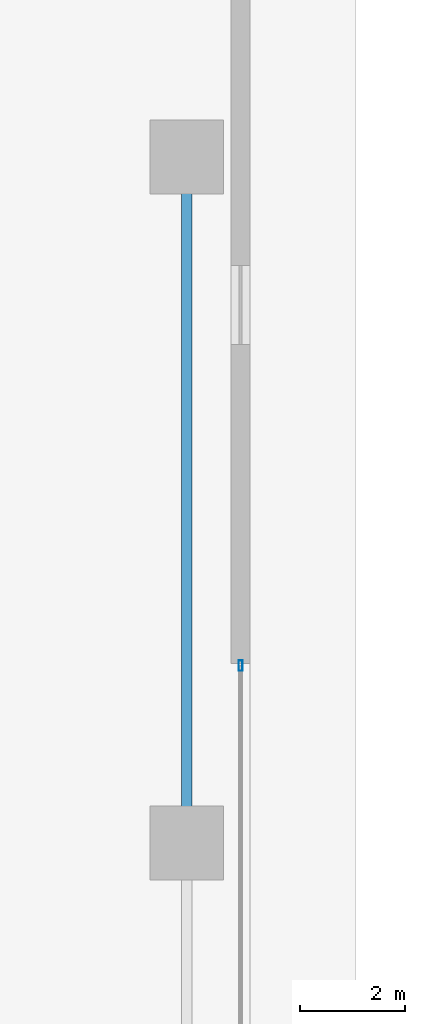
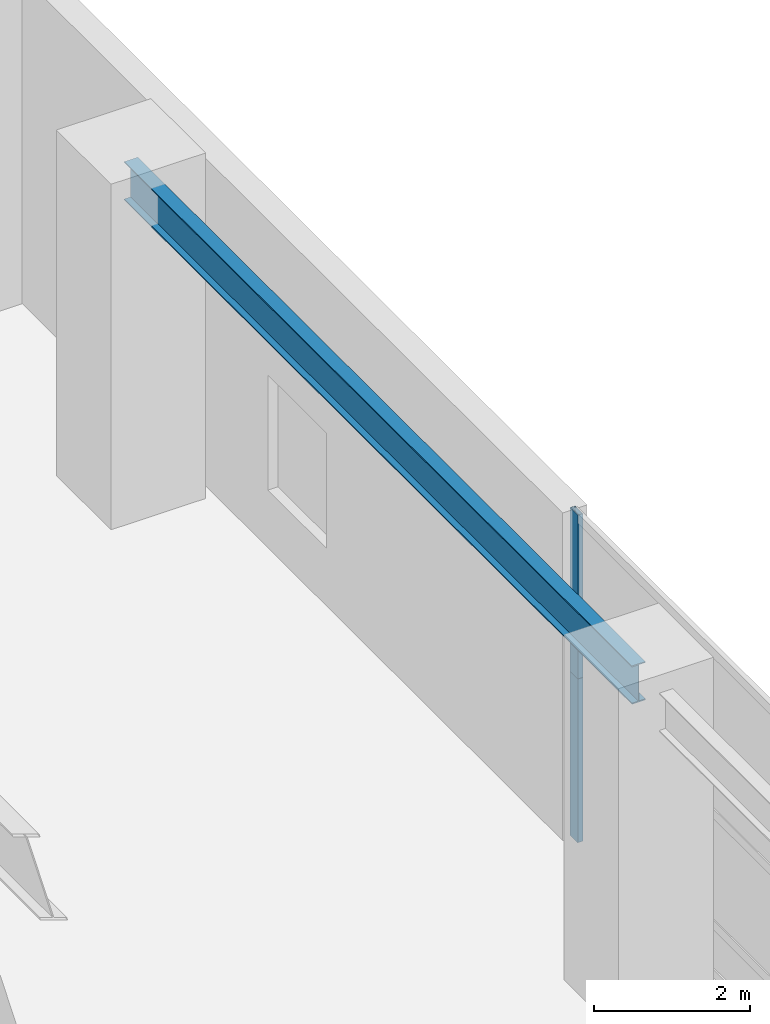
# One storey, part 22 of 32: 2 members, 1 beam, 1 element without a shape of its own.
"""IFC4 building model written with IfcOpenShell, lengths in metres."""

from ifc_helpers import new_model, si_unit, direction, frame, origin, origin_2d, place, context, subcontext, project, spatial, hollow_rectangle, i_section, extrude, source, transform, mapped, material, layer, layer_set, material_profile, profile_set, type_object, element, aggregate, save


model = new_model("IFC4")

# Units and contexts
model_context = context("Model", 3, precision=1e-05, world=origin(), true_north=direction((0.0, 1.0)))
body_context = subcontext(model_context, "Body", "Model", "MODEL_VIEW")
ifc_project = project(units=[si_unit("LENGTHUNIT", "METRE"), si_unit("AREAUNIT", "SQUARE_METRE"), si_unit("VOLUMEUNIT", "CUBIC_METRE"), si_unit("PLANEANGLEUNIT", "RADIAN"), si_unit("MASSUNIT", "GRAM", prefix="KILO"), si_unit("THERMODYNAMICTEMPERATUREUNIT", "KELVIN"), si_unit("POWERUNIT", "WATT")], contexts=[model_context])

# Site, building, storey
site_placement = place(None, origin())
site = spatial("IfcSite", under=ifc_project, at=site_placement, CompositionType="ELEMENT")
building_placement = place(site_placement, origin())
building = spatial("IfcBuilding", under=site, at=building_placement, Name="Yuzanri Waterfront Tower", CompositionType="ELEMENT")
storey_placement = place(building_placement, origin())
storey = spatial("IfcBuildingStorey", under=building, at=storey_placement, Name="L01", CompositionType="ELEMENT", Elevation=0.0)

# Beam
ifc_material_1 = material(Name="Steel Q355B", Category="steel")
ifc_material_profile_1 = material_profile(ifc_material_1, i_section(OverallWidth=0.199951171875, OverallDepth=0.60009765625, WebThickness=0.010986328125, FlangeThickness=0.01708984375, at=origin_2d()), Name="HN 600x200x11x17")
ifc_profile_set_1 = profile_set([ifc_material_profile_1], Name="Steel Q355B")
beam_type = type_object("IfcBeamType", Name="Perimeter Spandrel Q355B HN 600x200", PredefinedType="SPANDREL", material=ifc_profile_set_1)
shared_shape_1 = source(origin(), body_context, "Body", "SweptSolid", [
    extrude(i_section(OverallWidth=0.199951171875, OverallDepth=0.60009765625, WebThickness=0.010986328125, FlangeThickness=0.01708984375, at=origin_2d()), origin(), (0.0, 0.0, 1.0), 13.0),
])
beam_placement = place(storey_placement, frame((70.800048828125, 32.199951171875, 4.820068359375), z_axis=(0.0, 1.0, 0.0), x_axis=(-1.0, 0.0, 0.0)))
element("IfcBeam", 1, at=beam_placement, inside=storey, type_object=beam_type, Name="L01 East Podium Spandrel 3", PredefinedType="SPANDREL", context=body_context, shape_type="MappedRepresentation", body=[
    mapped(shared_shape_1, transform((0.0, 0.0, 0.0), scale=1.0)),
])

# Curtain wall, members
ifc_material_2 = material(Name="Anodized Architectural Bronze", Category="metal")
ifc_layer = layer(ifc_material_2, 0.159912109375)
ifc_layer_set = layer_set([ifc_layer], Name="Anodized Architectural Bronze")
curtain_wall_type = type_object("IfcCurtainWallType", Name="Anodized Bronze Podium Waterfront Double-Height Unitized Curtain Wall 8400", PredefinedType="NOTDEFINED", material=ifc_layer_set)
curtain_wall_placement = place(storey_placement, origin())
curtain_wall = element("IfcCurtainWall", 2, at=curtain_wall_placement, inside=storey, type_object=curtain_wall_type, Name="L01 Curtain Wall CW-L01-E", PredefinedType="NOTDEFINED")
ifc_material_3 = material(Name="Anodized Architectural Bronze", Category="metal")
ifc_material_profile_2 = material_profile(ifc_material_3, hollow_rectangle(XDim=0.074951171875, YDim=0.199951171875, WallThickness=0.00390625, at=origin_2d()), Name="CWM 75x200")
ifc_profile_set_2 = profile_set([ifc_material_profile_2], Name="Anodized Architectural Bronze")
member_type = type_object("IfcMemberType", Name="Anodized Bronze Primary Curtain-Wall Mullion 75x200", PredefinedType="MULLION", material=ifc_profile_set_2)
shared_shape_2 = source(origin(), body_context, "Body", "SweptSolid", [
    extrude(hollow_rectangle(XDim=0.074951171875, YDim=0.199951171875, WallThickness=0.00390625, at=origin_2d()), origin(), (0.0, 0.0, 1.0), 2.55810546875),
])
member_1_placement = place(storey_placement, frame((71.820068359375, 35.56005859375, 0.0), z_axis=(0.0, 0.0, 1.0), x_axis=(1.0, 0.0, 0.0)))
member_1 = element("IfcMember", 3, at=member_1_placement, type_object=member_type, Name="CW-L01-E Lower Mullion 02", PredefinedType="MULLION", context=body_context, shape_type="MappedRepresentation", body=[
    mapped(shared_shape_2, transform((0.0, 0.0, 0.0), scale=1.0)),
])
member_2_placement = place(storey_placement, frame((71.820068359375, 35.56005859375, 2.56201171875), z_axis=(0.0, 0.0, 1.0), x_axis=(1.0, 0.0, 0.0)))
member_2 = element("IfcMember", 4, at=member_2_placement, type_object=member_type, Name="CW-L01-E Upper Mullion 02", PredefinedType="MULLION", context=body_context, shape_type="MappedRepresentation", body=[
    mapped(shared_shape_2, transform((0.0, 0.0, 0.0), scale=1.0)),
])
aggregate(curtain_wall, [member_1, member_2])

save(model, "model.ifc")
